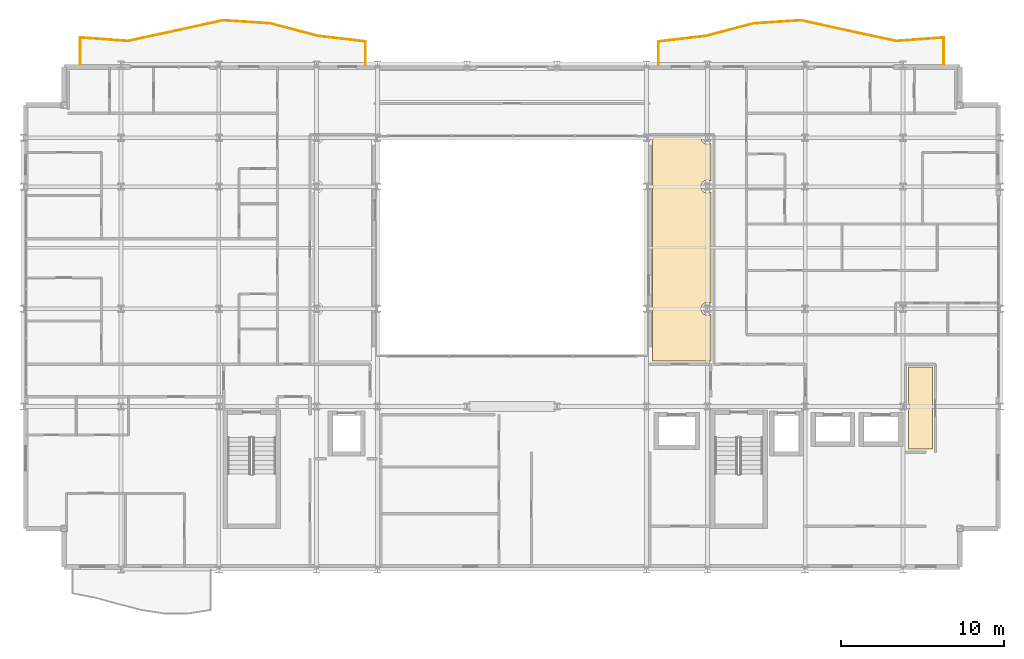
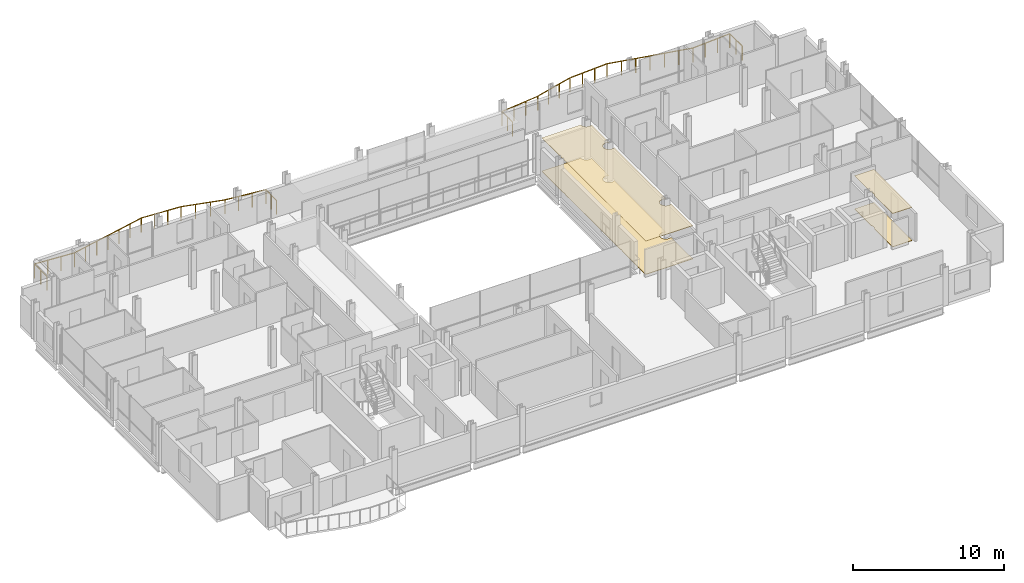
# One storey, part 41 of 41: 4 coverings, 2 railings.
"""IFC4 building model written with IfcOpenShell, lengths in metres."""

from ifc_helpers import new_model, si_unit, direction, frame, origin, origin_2d, place, context, subcontext, project, spatial, polyline, circle, outline, extrude, material, layer, layer_set, type_object, element, save


model = new_model("IFC4")

# Units and contexts
model_context = context("Model", 3, precision=1e-05, world=origin(), true_north=direction((0.0, 1.0)))
body_context = subcontext(model_context, "Body", "Model", "MODEL_VIEW")
ifc_project = project(units=[si_unit("LENGTHUNIT", "METRE"), si_unit("AREAUNIT", "SQUARE_METRE"), si_unit("VOLUMEUNIT", "CUBIC_METRE"), si_unit("PLANEANGLEUNIT", "RADIAN"), si_unit("MASSUNIT", "GRAM", prefix="KILO")], contexts=[model_context])

# Site, building, storey
site_placement = place(None, origin())
site = spatial("IfcSite", under=ifc_project, at=site_placement, CompositionType="ELEMENT")
building_placement = place(site_placement, origin())
building = spatial("IfcBuilding", under=site, at=building_placement, Name="Brevholm Reach", CompositionType="ELEMENT")
storey_placement = place(building_placement, frame((0.0, 0.0, 138.699951171875)))
storey = spatial("IfcBuildingStorey", under=building, at=storey_placement, Name="L41", CompositionType="ELEMENT", Elevation=138.699951171875)

# Coverings
ifc_material_1 = material(Name="Moisture-Resistant Skimmed Gypsum Plasterboard Ceiling", Category="gypsum")
ifc_layer_1 = layer(ifc_material_1, 0.030029296875)
ifc_layer_set_1 = layer_set([ifc_layer_1], Name="Moisture-Resistant Skimmed Gypsum Plasterboard Ceiling")
covering_type_1 = type_object("IfcCoveringType", Name="COV-CLG-GYP", PredefinedType="CEILING", material=ifc_layer_set_1)
covering_1_placement = place(storey_placement, frame((0.0, 0.0, 2.679931640625)))
element("IfcCovering", 1, at=covering_1_placement, inside=storey, type_object=covering_type_1, Name="L41 Suspended Ceiling L41-22", PredefinedType="CEILING", context=body_context, shape_type="SweptSolid", body=[
    extrude(outline(polyline([(54.330078125, 9.7626953125), (54.33056640625, 9.764892578125), (54.33251953125, 9.777587890625), (54.33251953125, 9.77783203125), (54.352783203125, 9.811279296875), (54.36962890625, 9.846923828125), (54.3828125, 9.8837890625), (54.392333984375, 9.922119140625), (54.398193359375, 9.960693359375), (54.39990234375, 10.0), (54.398193359375, 10.039306640625), (54.392333984375, 10.077880859375), (54.3828125, 10.1162109375), (54.36962890625, 10.153076171875), (54.352783203125, 10.188720703125), (54.333984375, 10.219970703125), (54.333984375, 12.419921875), (55.81591796875, 12.419921875), (55.81591796875, 7.3798828125), (55.437255859375, 7.3798828125), (55.43505859375, 7.380615234375), (55.41748046875, 7.383056640625), (55.39990234375, 7.384033203125), (54.330078125, 7.384033203125), (54.330078125, 9.7626953125)])), origin(), (0.0, 0.0, 1.0), 0.030029296875),
])
covering_2_placement = place(storey_placement, frame((0.0, 0.0, 2.679931640625)))
element("IfcCovering", 2, at=covering_2_placement, inside=storey, type_object=covering_type_1, Name="L41 Suspended Ceiling L41-54", PredefinedType="CEILING", context=body_context, shape_type="SweptSolid", body=[
    extrude(outline(polyline([(38.6298828125, 15.876220703125), (38.6328125, 15.8837890625), (38.642333984375, 15.922119140625), (38.648193359375, 15.960693359375), (38.64990234375, 16.0), (38.648193359375, 16.039306640625), (38.642333984375, 16.077880859375), (38.6328125, 16.1162109375), (38.6298828125, 16.123779296875), (38.6298828125, 23.376220703125), (38.6328125, 23.3837890625), (38.642333984375, 23.422119140625), (38.648193359375, 23.460693359375), (38.64990234375, 23.5), (38.648193359375, 23.539306640625), (38.642333984375, 23.577880859375), (38.6328125, 23.6162109375), (38.6298828125, 23.623779296875), (38.6298828125, 26.376220703125), (38.6328125, 26.3837890625), (38.642333984375, 26.422119140625), (38.648193359375, 26.460693359375), (38.64990234375, 26.5), (38.649169921875, 26.51611328125), (41.600830078125, 26.51611328125), (41.60009765625, 26.5), (41.601806640625, 26.460693359375), (41.607666015625, 26.422119140625), (41.6171875, 26.3837890625), (41.63037109375, 26.346923828125), (41.647216796875, 26.311279296875), (41.66748046875, 26.27783203125), (41.69091796875, 26.24609375), (41.71728515625, 26.21728515625), (41.74609375, 26.19091796875), (41.77783203125, 26.16748046875), (41.811279296875, 26.147216796875), (41.846923828125, 26.13037109375), (41.8837890625, 26.1171875), (41.922119140625, 26.107666015625), (41.960693359375, 26.101806640625), (42.0, 26.10009765625), (42.039306640625, 26.101806640625), (42.077880859375, 26.107666015625), (42.1162109375, 26.1171875), (42.153076171875, 26.13037109375), (42.188720703125, 26.147216796875), (42.216064453125, 26.163818359375), (42.216064453125, 23.836181640625), (42.188720703125, 23.852783203125), (42.153076171875, 23.86962890625), (42.1162109375, 23.8828125), (42.077880859375, 23.892333984375), (42.039306640625, 23.898193359375), (42.0, 23.89990234375), (41.960693359375, 23.898193359375), (41.922119140625, 23.892333984375), (41.8837890625, 23.8828125), (41.846923828125, 23.86962890625), (41.811279296875, 23.852783203125), (41.77783203125, 23.83251953125), (41.74609375, 23.80908203125), (41.71728515625, 23.78271484375), (41.69091796875, 23.75390625), (41.66748046875, 23.72216796875), (41.647216796875, 23.688720703125), (41.63037109375, 23.653076171875), (41.6171875, 23.6162109375), (41.607666015625, 23.577880859375), (41.601806640625, 23.539306640625), (41.60009765625, 23.5), (41.601806640625, 23.460693359375), (41.607666015625, 23.422119140625), (41.6171875, 23.3837890625), (41.63037109375, 23.346923828125), (41.647216796875, 23.311279296875), (41.66748046875, 23.27783203125), (41.69091796875, 23.24609375), (41.71728515625, 23.21728515625), (41.74609375, 23.19091796875), (41.77783203125, 23.16748046875), (41.811279296875, 23.147216796875), (41.846923828125, 23.13037109375), (41.8837890625, 23.1171875), (41.922119140625, 23.107666015625), (41.960693359375, 23.101806640625), (42.0, 23.10009765625), (42.039306640625, 23.101806640625), (42.077880859375, 23.107666015625), (42.1162109375, 23.1171875), (42.153076171875, 23.13037109375), (42.188720703125, 23.147216796875), (42.216064453125, 23.163818359375), (42.216064453125, 16.336181640625), (42.188720703125, 16.352783203125), (42.153076171875, 16.36962890625), (42.1162109375, 16.3828125), (42.077880859375, 16.392333984375), (42.039306640625, 16.398193359375), (42.0, 16.39990234375), (41.960693359375, 16.398193359375), (41.922119140625, 16.392333984375), (41.8837890625, 16.3828125), (41.846923828125, 16.36962890625), (41.811279296875, 16.352783203125), (41.77783203125, 16.33251953125), (41.74609375, 16.30908203125), (41.71728515625, 16.28271484375), (41.69091796875, 16.25390625), (41.66748046875, 16.22216796875), (41.647216796875, 16.188720703125), (41.63037109375, 16.153076171875), (41.6171875, 16.1162109375), (41.607666015625, 16.077880859375), (41.601806640625, 16.039306640625), (41.60009765625, 16.0), (41.601806640625, 15.960693359375), (41.607666015625, 15.922119140625), (41.6171875, 15.8837890625), (41.63037109375, 15.846923828125), (41.647216796875, 15.811279296875), (41.66748046875, 15.77783203125), (41.69091796875, 15.74609375), (41.71728515625, 15.71728515625), (41.74609375, 15.69091796875), (41.77783203125, 15.66748046875), (41.811279296875, 15.647216796875), (41.846923828125, 15.63037109375), (41.8837890625, 15.6171875), (41.922119140625, 15.607666015625), (41.960693359375, 15.601806640625), (42.0, 15.60009765625), (42.039306640625, 15.601806640625), (42.077880859375, 15.607666015625), (42.1162109375, 15.6171875), (42.153076171875, 15.63037109375), (42.188720703125, 15.647216796875), (42.216064453125, 15.663818359375), (42.216064453125, 12.783935546875), (38.6298828125, 12.783935546875), (38.6298828125, 15.876220703125)])), origin(), (0.0, 0.0, 1.0), 0.030029296875),
])
ifc_material_2 = material(Name="Honed Portland-Aggregate Resin Terrazzo Flooring", Category="concrete")
ifc_layer_2 = layer(ifc_material_2, 0.031982421875)
ifc_layer_set_2 = layer_set([ifc_layer_2], Name="Honed Portland-Aggregate Resin Terrazzo Flooring")
covering_type_2 = type_object("IfcCoveringType", Name="COV-FLR-TRZ", PredefinedType="FLOORING", material=ifc_layer_set_2)
covering_3_placement = place(storey_placement, origin())
element("IfcCovering", 3, at=covering_3_placement, inside=storey, type_object=covering_type_2, Name="L41 Floor Finish L41-22", PredefinedType="FLOORING", context=body_context, shape_type="SweptSolid", body=[
    extrude(outline(polyline([(54.330078125, 9.7626953125), (54.33056640625, 9.764892578125), (54.33251953125, 9.777587890625), (54.33251953125, 9.77783203125), (54.352783203125, 9.811279296875), (54.36962890625, 9.846923828125), (54.3828125, 9.8837890625), (54.392333984375, 9.922119140625), (54.398193359375, 9.960693359375), (54.39990234375, 10.0), (54.398193359375, 10.039306640625), (54.392333984375, 10.077880859375), (54.3828125, 10.1162109375), (54.36962890625, 10.153076171875), (54.352783203125, 10.188720703125), (54.333984375, 10.219970703125), (54.333984375, 12.419921875), (55.81591796875, 12.419921875), (55.81591796875, 7.3798828125), (55.437255859375, 7.3798828125), (55.43505859375, 7.380615234375), (55.41748046875, 7.383056640625), (55.39990234375, 7.384033203125), (54.330078125, 7.384033203125), (54.330078125, 9.7626953125)])), origin(), (0.0, 0.0, 1.0), 0.031982421875),
])
covering_4_placement = place(storey_placement, origin())
element("IfcCovering", 4, at=covering_4_placement, inside=storey, type_object=covering_type_2, Name="L41 Floor Finish L41-54", PredefinedType="FLOORING", context=body_context, shape_type="SweptSolid", body=[
    extrude(outline(polyline([(38.6298828125, 15.876220703125), (38.6328125, 15.8837890625), (38.642333984375, 15.922119140625), (38.648193359375, 15.960693359375), (38.64990234375, 16.0), (38.648193359375, 16.039306640625), (38.642333984375, 16.077880859375), (38.6328125, 16.1162109375), (38.6298828125, 16.123779296875), (38.6298828125, 23.376220703125), (38.6328125, 23.3837890625), (38.642333984375, 23.422119140625), (38.648193359375, 23.460693359375), (38.64990234375, 23.5), (38.648193359375, 23.539306640625), (38.642333984375, 23.577880859375), (38.6328125, 23.6162109375), (38.6298828125, 23.623779296875), (38.6298828125, 26.376220703125), (38.6328125, 26.3837890625), (38.642333984375, 26.422119140625), (38.648193359375, 26.460693359375), (38.64990234375, 26.5), (38.649169921875, 26.51611328125), (41.600830078125, 26.51611328125), (41.60009765625, 26.5), (41.601806640625, 26.460693359375), (41.607666015625, 26.422119140625), (41.6171875, 26.3837890625), (41.63037109375, 26.346923828125), (41.647216796875, 26.311279296875), (41.66748046875, 26.27783203125), (41.69091796875, 26.24609375), (41.71728515625, 26.21728515625), (41.74609375, 26.19091796875), (41.77783203125, 26.16748046875), (41.811279296875, 26.147216796875), (41.846923828125, 26.13037109375), (41.8837890625, 26.1171875), (41.922119140625, 26.107666015625), (41.960693359375, 26.101806640625), (42.0, 26.10009765625), (42.039306640625, 26.101806640625), (42.077880859375, 26.107666015625), (42.1162109375, 26.1171875), (42.153076171875, 26.13037109375), (42.188720703125, 26.147216796875), (42.216064453125, 26.163818359375), (42.216064453125, 23.836181640625), (42.188720703125, 23.852783203125), (42.153076171875, 23.86962890625), (42.1162109375, 23.8828125), (42.077880859375, 23.892333984375), (42.039306640625, 23.898193359375), (42.0, 23.89990234375), (41.960693359375, 23.898193359375), (41.922119140625, 23.892333984375), (41.8837890625, 23.8828125), (41.846923828125, 23.86962890625), (41.811279296875, 23.852783203125), (41.77783203125, 23.83251953125), (41.74609375, 23.80908203125), (41.71728515625, 23.78271484375), (41.69091796875, 23.75390625), (41.66748046875, 23.72216796875), (41.647216796875, 23.688720703125), (41.63037109375, 23.653076171875), (41.6171875, 23.6162109375), (41.607666015625, 23.577880859375), (41.601806640625, 23.539306640625), (41.60009765625, 23.5), (41.601806640625, 23.460693359375), (41.607666015625, 23.422119140625), (41.6171875, 23.3837890625), (41.63037109375, 23.346923828125), (41.647216796875, 23.311279296875), (41.66748046875, 23.27783203125), (41.69091796875, 23.24609375), (41.71728515625, 23.21728515625), (41.74609375, 23.19091796875), (41.77783203125, 23.16748046875), (41.811279296875, 23.147216796875), (41.846923828125, 23.13037109375), (41.8837890625, 23.1171875), (41.922119140625, 23.107666015625), (41.960693359375, 23.101806640625), (42.0, 23.10009765625), (42.039306640625, 23.101806640625), (42.077880859375, 23.107666015625), (42.1162109375, 23.1171875), (42.153076171875, 23.13037109375), (42.188720703125, 23.147216796875), (42.216064453125, 23.163818359375), (42.216064453125, 16.336181640625), (42.188720703125, 16.352783203125), (42.153076171875, 16.36962890625), (42.1162109375, 16.3828125), (42.077880859375, 16.392333984375), (42.039306640625, 16.398193359375), (42.0, 16.39990234375), (41.960693359375, 16.398193359375), (41.922119140625, 16.392333984375), (41.8837890625, 16.3828125), (41.846923828125, 16.36962890625), (41.811279296875, 16.352783203125), (41.77783203125, 16.33251953125), (41.74609375, 16.30908203125), (41.71728515625, 16.28271484375), (41.69091796875, 16.25390625), (41.66748046875, 16.22216796875), (41.647216796875, 16.188720703125), (41.63037109375, 16.153076171875), (41.6171875, 16.1162109375), (41.607666015625, 16.077880859375), (41.601806640625, 16.039306640625), (41.60009765625, 16.0), (41.601806640625, 15.960693359375), (41.607666015625, 15.922119140625), (41.6171875, 15.8837890625), (41.63037109375, 15.846923828125), (41.647216796875, 15.811279296875), (41.66748046875, 15.77783203125), (41.69091796875, 15.74609375), (41.71728515625, 15.71728515625), (41.74609375, 15.69091796875), (41.77783203125, 15.66748046875), (41.811279296875, 15.647216796875), (41.846923828125, 15.63037109375), (41.8837890625, 15.6171875), (41.922119140625, 15.607666015625), (41.960693359375, 15.601806640625), (42.0, 15.60009765625), (42.039306640625, 15.601806640625), (42.077880859375, 15.607666015625), (42.1162109375, 15.6171875), (42.153076171875, 15.63037109375), (42.188720703125, 15.647216796875), (42.216064453125, 15.663818359375), (42.216064453125, 12.783935546875), (38.6298828125, 12.783935546875), (38.6298828125, 15.876220703125)])), origin(), (0.0, 0.0, 1.0), 0.031982421875),
])

# Railings
ifc_material_3 = material(Name="Brushed Stainless Steel EN 1.4401 and Laminated Glass", Category="steel")
railing_type = type_object("IfcRailingType", Name="RAL-BALC-1150", PredefinedType="BALUSTRADE", material=ifc_material_3)
railing_1_placement = place(storey_placement, frame((56.5, 31.0, 0.0)))
element("IfcRailing", 5, at=railing_1_placement, inside=storey, type_object=railing_type, Name="L41 Guard Balustrade RAL-L41-BAL-NE", PredefinedType="BALUSTRADE", context=body_context, shape_type="SweptSolid", body=[
    extrude(circle(Radius=0.02392578125, at=origin_2d()), frame((0.0, 0.0, 1.1259765625), z_axis=(0.0, 1.0, 0.0), x_axis=(-1.0, 0.0, 0.0)), (0.0, 0.0, 1.0), 1.650146484375),
    extrude(circle(Radius=0.02392578125, at=origin_2d()), frame((0.0, 1.650146484375, 1.1259765625), z_axis=(-0.997334760815, -0.072961461535, 0.0), x_axis=(0.072961461535, -0.997334760815, 0.0)), (0.0, 0.0, 1.0), 2.924560546875),
    extrude(circle(Radius=0.02392578125, at=origin_2d()), frame((-2.916748046875, 1.436767578125, 1.1259765625), z_axis=(-0.977699293222, 0.21000974271, 0.0), x_axis=(-0.21000974271, -0.977699293222, 0.0)), (0.0, 0.0, 1.0), 2.98291015625),
    extrude(circle(Radius=0.02392578125, at=origin_2d()), frame((-5.833251953125, 2.063232421875, 1.1259765625), z_axis=(-0.976633143635, 0.214913244715, 0.0), x_axis=(-0.214913244715, -0.976633143635, 0.0)), (0.0, 0.0, 1.0), 2.986572265625),
    extrude(circle(Radius=0.02392578125, at=origin_2d()), frame((-8.75, 2.705078125, 1.1259765625), z_axis=(-0.997945514781, -0.06406831923, 0.0), x_axis=(0.06406831923, -0.997945514781, 0.0)), (0.0, 0.0, 1.0), 2.9228515625),
    extrude(circle(Radius=0.02392578125, at=origin_2d()), frame((-11.666748046875, 2.517822265625, 1.1259765625), z_axis=(-0.966868735292, -0.255274065889, 0.0), x_axis=(0.255274065889, -0.966868735292, 0.0)), (0.0, 0.0, 1.0), 3.016357421875),
    extrude(circle(Radius=0.02392578125, at=origin_2d()), frame((-14.583251953125, 1.747802734375, 1.1259765625), z_axis=(-0.99329006652, -0.11564965954, 0.0), x_axis=(0.11564965954, -0.99329006652, 0.0)), (0.0, 0.0, 1.0), 2.9365234375),
    extrude(circle(Radius=0.02392578125, at=origin_2d()), frame((-17.5, 1.408203125, 1.1259765625), z_axis=(0.0, -1.0, 0.0), x_axis=(1.0, 0.0, 0.0)), (0.0, 0.0, 1.0), 1.408203125),
    extrude(circle(Radius=0.02099609375, at=origin_2d()), origin(), (0.0, 0.0, 1.0), 1.101806640625),
    extrude(circle(Radius=0.02099609375, at=origin_2d()), frame((0.0, 0.8251953125, 0.0)), (0.0, 0.0, 1.0), 1.101806640625),
    extrude(circle(Radius=0.02099609375, at=origin_2d()), frame((0.0, 1.650146484375, 0.0)), (0.0, 0.0, 1.0), 1.101806640625),
    extrude(circle(Radius=0.02099609375, at=origin_2d()), frame((-0.97216796875, 1.5791015625, 0.0)), (0.0, 0.0, 1.0), 1.101806640625),
    extrude(circle(Radius=0.02099609375, at=origin_2d()), frame((-1.944580078125, 1.5078125, 0.0)), (0.0, 0.0, 1.0), 1.101806640625),
    extrude(circle(Radius=0.02099609375, at=origin_2d()), frame((-2.916748046875, 1.436767578125, 0.0)), (0.0, 0.0, 1.0), 1.101806640625),
    extrude(circle(Radius=0.02099609375, at=origin_2d()), frame((-3.888916015625, 1.6455078125, 0.0)), (0.0, 0.0, 1.0), 1.101806640625),
    extrude(circle(Radius=0.02099609375, at=origin_2d()), frame((-4.861083984375, 1.8544921875, 0.0)), (0.0, 0.0, 1.0), 1.101806640625),
    extrude(circle(Radius=0.02099609375, at=origin_2d()), frame((-5.833251953125, 2.063232421875, 0.0)), (0.0, 0.0, 1.0), 1.101806640625),
    extrude(circle(Radius=0.02099609375, at=origin_2d()), frame((-6.805419921875, 2.277099609375, 0.0)), (0.0, 0.0, 1.0), 1.101806640625),
    extrude(circle(Radius=0.02099609375, at=origin_2d()), frame((-7.77783203125, 2.4912109375, 0.0)), (0.0, 0.0, 1.0), 1.101806640625),
    extrude(circle(Radius=0.02099609375, at=origin_2d()), frame((-8.75, 2.705078125, 0.0)), (0.0, 0.0, 1.0), 1.101806640625),
    extrude(circle(Radius=0.02099609375, at=origin_2d()), frame((-9.72216796875, 2.642578125, 0.0)), (0.0, 0.0, 1.0), 1.101806640625),
    extrude(circle(Radius=0.02099609375, at=origin_2d()), frame((-10.694580078125, 2.580322265625, 0.0)), (0.0, 0.0, 1.0), 1.101806640625),
    extrude(circle(Radius=0.02099609375, at=origin_2d()), frame((-11.666748046875, 2.517822265625, 0.0)), (0.0, 0.0, 1.0), 1.101806640625),
    extrude(circle(Radius=0.02099609375, at=origin_2d()), frame((-12.638916015625, 2.26123046875, 0.0)), (0.0, 0.0, 1.0), 1.101806640625),
    extrude(circle(Radius=0.02099609375, at=origin_2d()), frame((-13.611083984375, 2.00439453125, 0.0)), (0.0, 0.0, 1.0), 1.101806640625),
    extrude(circle(Radius=0.02099609375, at=origin_2d()), frame((-14.583251953125, 1.747802734375, 0.0)), (0.0, 0.0, 1.0), 1.101806640625),
    extrude(circle(Radius=0.02099609375, at=origin_2d()), frame((-15.555419921875, 1.634521484375, 0.0)), (0.0, 0.0, 1.0), 1.101806640625),
    extrude(circle(Radius=0.02099609375, at=origin_2d()), frame((-16.52783203125, 1.521484375, 0.0)), (0.0, 0.0, 1.0), 1.101806640625),
    extrude(circle(Radius=0.02099609375, at=origin_2d()), frame((-17.5, 1.408203125, 0.0)), (0.0, 0.0, 1.0), 1.101806640625),
    extrude(circle(Radius=0.02099609375, at=origin_2d()), frame((-17.5, 0.7041015625, 0.0)), (0.0, 0.0, 1.0), 1.101806640625),
    extrude(circle(Radius=0.02099609375, at=origin_2d()), frame((-17.5, 0.0, 0.0)), (0.0, 0.0, 1.0), 1.101806640625),
])
railing_2_placement = place(storey_placement, frame((21.0, 31.0, 0.0)))
element("IfcRailing", 6, at=railing_2_placement, inside=storey, type_object=railing_type, Name="L41 Guard Balustrade RAL-L41-BAL-NW", PredefinedType="BALUSTRADE", context=body_context, shape_type="SweptSolid", body=[
    extrude(circle(Radius=0.02392578125, at=origin_2d()), frame((0.0, 0.0, 1.1259765625), z_axis=(0.0, 1.0, 0.0), x_axis=(-1.0, 0.0, 0.0)), (0.0, 0.0, 1.0), 1.408203125),
    extrude(circle(Radius=0.02392578125, at=origin_2d()), frame((0.0, 1.408203125, 1.1259765625), z_axis=(-0.99329006652, 0.11564965954, 0.0), x_axis=(-0.11564965954, -0.99329006652, 0.0)), (0.0, 0.0, 1.0), 2.9365234375),
    extrude(circle(Radius=0.02392578125, at=origin_2d()), frame((-2.916748046875, 1.747802734375, 1.1259765625), z_axis=(-0.966868735292, 0.255274065889, 0.0), x_axis=(-0.255274065889, -0.966868735292, 0.0)), (0.0, 0.0, 1.0), 3.016357421875),
    extrude(circle(Radius=0.02392578125, at=origin_2d()), frame((-5.833251953125, 2.517822265625, 1.1259765625), z_axis=(-0.997945514781, 0.06406831923, 0.0), x_axis=(-0.06406831923, -0.997945514781, 0.0)), (0.0, 0.0, 1.0), 2.9228515625),
    extrude(circle(Radius=0.02392578125, at=origin_2d()), frame((-8.75, 2.705078125, 1.1259765625), z_axis=(-0.976633143635, -0.214913244715, 0.0), x_axis=(0.214913244715, -0.976633143635, 0.0)), (0.0, 0.0, 1.0), 2.986572265625),
    extrude(circle(Radius=0.02392578125, at=origin_2d()), frame((-11.666748046875, 2.063232421875, 1.1259765625), z_axis=(-0.977699293222, -0.21000974271, 0.0), x_axis=(0.21000974271, -0.977699293222, 0.0)), (0.0, 0.0, 1.0), 2.98291015625),
    extrude(circle(Radius=0.02392578125, at=origin_2d()), frame((-14.583251953125, 1.436767578125, 1.1259765625), z_axis=(-0.997334760815, 0.072961461535, 0.0), x_axis=(-0.072961461535, -0.997334760815, 0.0)), (0.0, 0.0, 1.0), 2.924560546875),
    extrude(circle(Radius=0.02392578125, at=origin_2d()), frame((-17.5, 1.650146484375, 1.1259765625), z_axis=(0.0, -1.0, 0.0), x_axis=(1.0, 0.0, 0.0)), (0.0, 0.0, 1.0), 1.650146484375),
    extrude(circle(Radius=0.02099609375, at=origin_2d()), origin(), (0.0, 0.0, 1.0), 1.101806640625),
    extrude(circle(Radius=0.02099609375, at=origin_2d()), frame((0.0, 0.7041015625, 0.0)), (0.0, 0.0, 1.0), 1.101806640625),
    extrude(circle(Radius=0.02099609375, at=origin_2d()), frame((0.0, 1.408203125, 0.0)), (0.0, 0.0, 1.0), 1.101806640625),
    extrude(circle(Radius=0.02099609375, at=origin_2d()), frame((-0.97216796875, 1.521484375, 0.0)), (0.0, 0.0, 1.0), 1.101806640625),
    extrude(circle(Radius=0.02099609375, at=origin_2d()), frame((-1.944580078125, 1.634521484375, 0.0)), (0.0, 0.0, 1.0), 1.101806640625),
    extrude(circle(Radius=0.02099609375, at=origin_2d()), frame((-2.916748046875, 1.747802734375, 0.0)), (0.0, 0.0, 1.0), 1.101806640625),
    extrude(circle(Radius=0.02099609375, at=origin_2d()), frame((-3.888916015625, 2.00439453125, 0.0)), (0.0, 0.0, 1.0), 1.101806640625),
    extrude(circle(Radius=0.02099609375, at=origin_2d()), frame((-4.861083984375, 2.26123046875, 0.0)), (0.0, 0.0, 1.0), 1.101806640625),
    extrude(circle(Radius=0.02099609375, at=origin_2d()), frame((-5.833251953125, 2.517822265625, 0.0)), (0.0, 0.0, 1.0), 1.101806640625),
    extrude(circle(Radius=0.02099609375, at=origin_2d()), frame((-6.805419921875, 2.580322265625, 0.0)), (0.0, 0.0, 1.0), 1.101806640625),
    extrude(circle(Radius=0.02099609375, at=origin_2d()), frame((-7.77783203125, 2.642578125, 0.0)), (0.0, 0.0, 1.0), 1.101806640625),
    extrude(circle(Radius=0.02099609375, at=origin_2d()), frame((-8.75, 2.705078125, 0.0)), (0.0, 0.0, 1.0), 1.101806640625),
    extrude(circle(Radius=0.02099609375, at=origin_2d()), frame((-9.72216796875, 2.4912109375, 0.0)), (0.0, 0.0, 1.0), 1.101806640625),
    extrude(circle(Radius=0.02099609375, at=origin_2d()), frame((-10.694580078125, 2.277099609375, 0.0)), (0.0, 0.0, 1.0), 1.101806640625),
    extrude(circle(Radius=0.02099609375, at=origin_2d()), frame((-11.666748046875, 2.063232421875, 0.0)), (0.0, 0.0, 1.0), 1.101806640625),
    extrude(circle(Radius=0.02099609375, at=origin_2d()), frame((-12.638916015625, 1.8544921875, 0.0)), (0.0, 0.0, 1.0), 1.101806640625),
    extrude(circle(Radius=0.02099609375, at=origin_2d()), frame((-13.611083984375, 1.6455078125, 0.0)), (0.0, 0.0, 1.0), 1.101806640625),
    extrude(circle(Radius=0.02099609375, at=origin_2d()), frame((-14.583251953125, 1.436767578125, 0.0)), (0.0, 0.0, 1.0), 1.101806640625),
    extrude(circle(Radius=0.02099609375, at=origin_2d()), frame((-15.555419921875, 1.5078125, 0.0)), (0.0, 0.0, 1.0), 1.101806640625),
    extrude(circle(Radius=0.02099609375, at=origin_2d()), frame((-16.52783203125, 1.5791015625, 0.0)), (0.0, 0.0, 1.0), 1.101806640625),
    extrude(circle(Radius=0.02099609375, at=origin_2d()), frame((-17.5, 1.650146484375, 0.0)), (0.0, 0.0, 1.0), 1.101806640625),
    extrude(circle(Radius=0.02099609375, at=origin_2d()), frame((-17.5, 0.8251953125, 0.0)), (0.0, 0.0, 1.0), 1.101806640625),
    extrude(circle(Radius=0.02099609375, at=origin_2d()), frame((-17.5, 0.0, 0.0)), (0.0, 0.0, 1.0), 1.101806640625),
])

save(model, "model.ifc")
